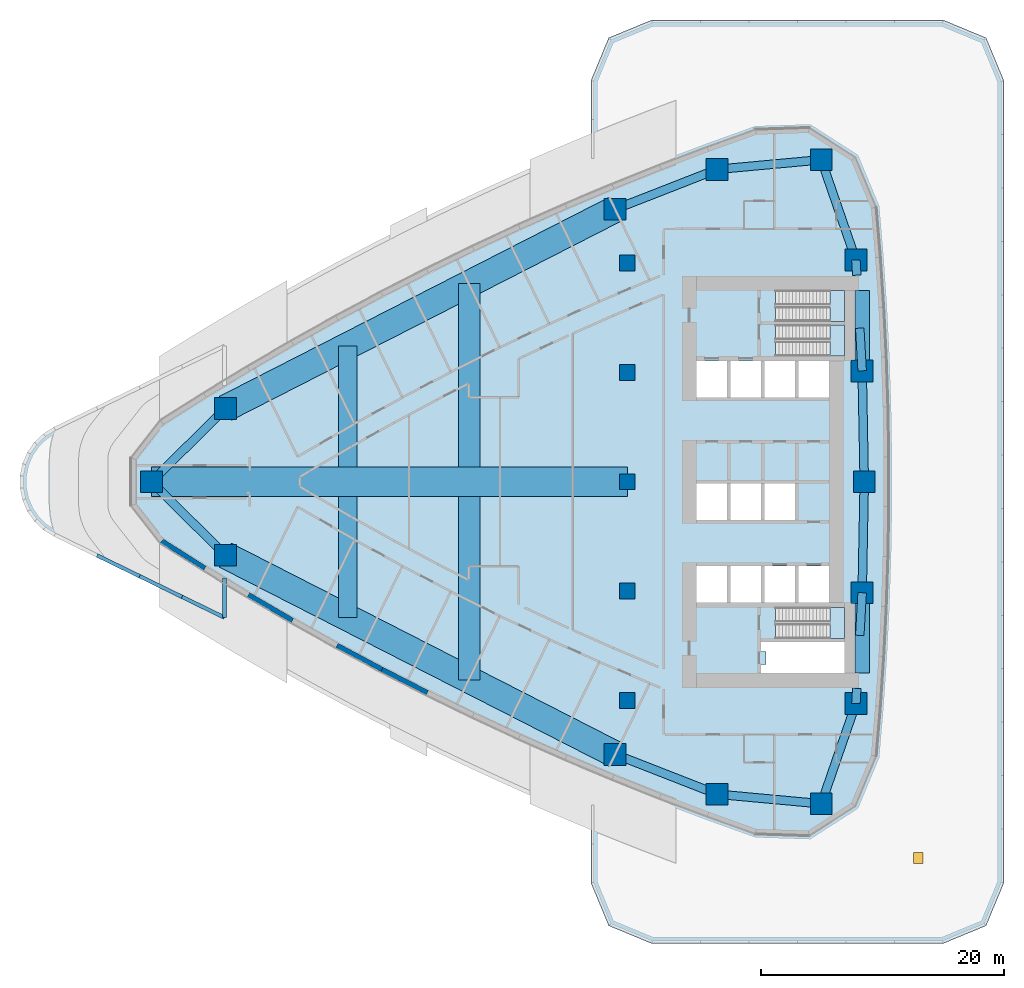
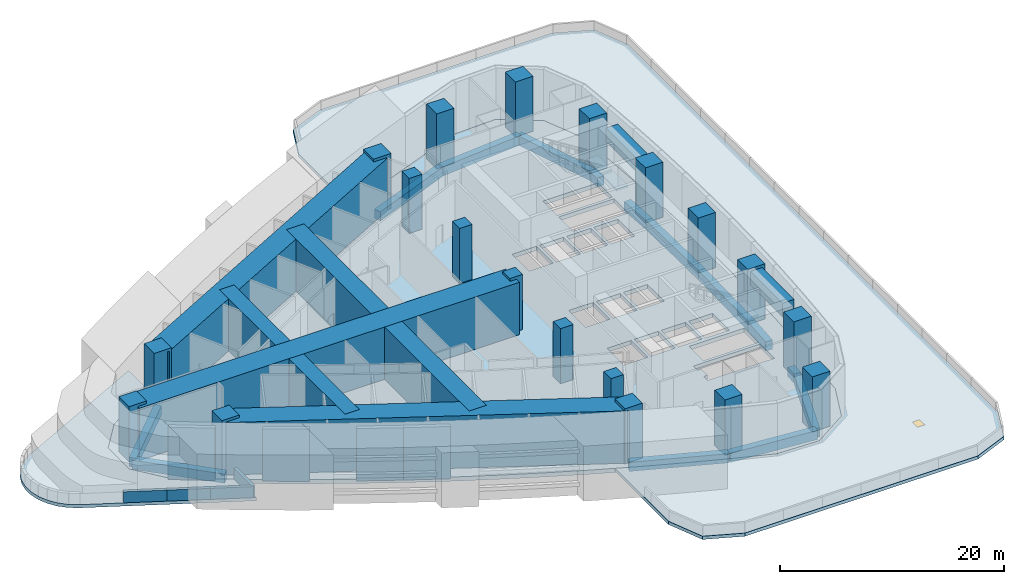
# One storey, part 1 of 14: 23 beams, 19 columns, 8 walls, 6 slabs, 1 window, 2 openings, 3 elements without a shape of their own.
"""IFC4 building model written with IfcOpenShell, lengths in metres."""

from ifc_helpers import new_model, si_unit, direction, frame, frame_2d, origin, origin_2d, place, context, subcontext, project, spatial, polyline, rectangle, outline, extrude, material, layer, layer_set, material_profile, profile_set, type_object, element, fill, aggregate, save


model = new_model("IFC4")

# Units and contexts
model_context = context("Model", 3, precision=1e-05, world=origin(), true_north=direction((0.0, 1.0)))
body_context = subcontext(model_context, "Body", "Model", "MODEL_VIEW")
ifc_project = project(units=[si_unit("LENGTHUNIT", "METRE"), si_unit("AREAUNIT", "SQUARE_METRE"), si_unit("VOLUMEUNIT", "CUBIC_METRE"), si_unit("PLANEANGLEUNIT", "RADIAN"), si_unit("MASSUNIT", "GRAM", prefix="KILO")], contexts=[model_context])

# Site, building, storey
site_placement = place(None, origin())
site = spatial("IfcSite", under=ifc_project, at=site_placement, CompositionType="ELEMENT")
building_placement = place(site_placement, origin())
building = spatial("IfcBuilding", under=site, at=building_placement, Name="Ostrand Prow Hotel Tower", CompositionType="ELEMENT")
storey_placement = place(building_placement, frame((0.0, 0.0, 29.0)))
storey = spatial("IfcBuildingStorey", under=building, at=storey_placement, Name="L05", CompositionType="ELEMENT", Elevation=29.0)

# Columns
ifc_material_1 = material(Name="Concrete C80/95", Category="concrete")
ifc_material_profile_1 = material_profile(ifc_material_1, rectangle(XDim=1.300048828125, YDim=1.300048828125, at=origin_2d()), Name="RC 1300x1300")
ifc_profile_set_1 = profile_set([ifc_material_profile_1], Name="Concrete C80/95")
column_type_1 = type_object("IfcColumnType", Name="Interior column 1300x1300 C80/95", PredefinedType="COLUMN", material=ifc_profile_set_1)
for number, where, z_axis, x_axis, name in (
    (1, (45.0, -18.0, 0.0), (0.0, 0.0, 1.0), (1.0, 0.0, 0.0), "Interior column 45S18"),
    (2, (45.0, -9.0, 0.0), (0.0, 0.0, 1.0), (1.0, 0.0, 0.0), "Interior column 45S9"),
    (3, (45.0, 0.0, 0.0), (0.0, 0.0, 1.0), (1.0, 0.0, 0.0), "Interior column 45C0"),
    (4, (45.0, 9.0, 0.0), (0.0, 0.0, 1.0), (1.0, 0.0, 0.0), "Interior column 45N9"),
    (5, (45.0, 18.0, 0.0), (0.0, 0.0, 1.0), (1.0, 0.0, 0.0), "Interior column 45N18"),
):
    element("IfcColumn", number, at=place(storey_placement, frame(where, z_axis=z_axis, x_axis=x_axis)), inside=storey, type_object=column_type_1, Name=name, PredefinedType="COLUMN", context=body_context, shape_type="SweptSolid", body=[
        extrude(rectangle(XDim=1.300048828125, YDim=1.300048828125, at=origin_2d()), origin(), (0.0, 0.0, 1.0), 6.0),
    ])
ifc_material_2 = material(Name="Concrete C80/95", Category="concrete")
ifc_material_profile_2 = material_profile(ifc_material_2, rectangle(XDim=1.800048828125, YDim=1.800048828125, at=origin_2d()), Name="RC 1800x1800")
ifc_profile_set_2 = profile_set([ifc_material_profile_2], Name="Concrete C80/95")
column_type_2 = type_object("IfcColumnType", Name="Stone-faced mega column 1800x1800 C80/95", PredefinedType="COLUMN", material=ifc_profile_set_2)
for number, where, z_axis, x_axis, name in (
    (6, (5.848388671875, 0.0, 0.0), (0.0, 0.0, 1.0), (1.0, 0.0, 0.0), "Mega column P"),
    (7, (11.926513671875, -6.0419921875, 0.0), (0.0, 0.0, 1.0), (1.0, 0.0, 0.0), "Mega column S1"),
    (8, (43.997802734375, -22.427978515625, 0.0), (0.0, 0.0, 1.0), (1.0, 0.0, 0.0), "Mega column S5"),
    (9, (52.3916015625, -25.710205078125, 0.0), (0.0, 0.0, 1.0), (1.0, 0.0, 0.0), "Mega column S6"),
    (10, (60.966064453125, -26.49853515625, 0.0), (0.0, 0.0, 1.0), (1.0, 0.0, 0.0), "Mega column SE"),
    (11, (63.8134765625, -18.248779296875, 0.0), (0.0, 0.0, 1.0), (1.0, 0.0, 0.0), "Mega column B1"),
    (12, (64.328369140625, -9.130859375, 0.0), (0.0, 0.0, 1.0), (1.0, 0.0, 0.0), "Mega column B2"),
    (13, (64.5, 0.0, 0.0), (0.0, 0.0, 1.0), (1.0, 0.0, 0.0), "Mega column B3"),
    (14, (64.328369140625, 9.130859375, 0.0), (0.0, 0.0, 1.0), (1.0, 0.0, 0.0), "Mega column B4"),
    (15, (63.8134765625, 18.248779296875, 0.0), (0.0, 0.0, 1.0), (1.0, 0.0, 0.0), "Mega column B5"),
    (16, (60.966064453125, 26.49853515625, 0.0), (0.0, 0.0, 1.0), (1.0, 0.0, 0.0), "Mega column NE"),
    (17, (52.3916015625, 25.710205078125, 0.0), (0.0, 0.0, 1.0), (1.0, 0.0, 0.0), "Mega column N1"),
    (18, (43.997802734375, 22.427978515625, 0.0), (0.0, 0.0, 1.0), (1.0, 0.0, 0.0), "Mega column N2"),
    (19, (11.926513671875, 6.0419921875, 0.0), (0.0, 0.0, 1.0), (1.0, 0.0, 0.0), "Mega column N6"),
):
    element("IfcColumn", number, at=place(storey_placement, frame(where, z_axis=z_axis, x_axis=x_axis)), inside=storey, type_object=column_type_2, Name=name, PredefinedType="COLUMN", context=body_context, shape_type="SweptSolid", body=[
        extrude(rectangle(XDim=1.800048828125, YDim=1.800048828125, at=origin_2d()), origin(), (0.0, 0.0, 1.0), 6.0),
    ])

# Beams
ifc_material_3 = material(Name="Concrete C80/95", Category="concrete")
ifc_material_profile_3 = material_profile(ifc_material_3, rectangle(XDim=1.199951171875, YDim=1.5, at=origin_2d()), Name="RC 1200x1500")
ifc_profile_set_3 = profile_set([ifc_material_profile_3], Name="Concrete C80/95")
beam_type_1 = type_object("IfcBeamType", Name="Core transfer beam 1200x1500 C80/95", PredefinedType="BEAM", material=ifc_profile_set_3)
for number, where, z_axis, x_axis, name in (
    (20, (64.320068359375, 9.949951171875, 4.949951171875), (0.0, 1.0, 0.0), (-1.0, 0.0, 0.0), "Core transfer beam CW-E-N"),
    (21, (64.320068359375, -15.75, 4.949951171875), (0.0, 1.0, 0.0), (-1.0, 0.0, 0.0), "Core transfer beam CW-E-S"),
):
    element("IfcBeam", number, at=place(storey_placement, frame(where, z_axis=z_axis, x_axis=x_axis)), inside=storey, type_object=beam_type_1, Name=name, PredefinedType="BEAM", context=body_context, shape_type="SweptSolid", body=[
        extrude(rectangle(XDim=1.199951171875, YDim=1.5, at=origin_2d()), origin(), (0.0, 0.0, 1.0), 5.800048828125),
    ])
ifc_material_4 = material(Name="Concrete C80/95", Category="concrete")
ifc_material_profile_4 = material_profile(ifc_material_4, rectangle(XDim=0.699951171875, YDim=1.0, at=origin_2d()), Name="RC 700x1000")
ifc_profile_set_4 = profile_set([ifc_material_profile_4], Name="Concrete C80/95")
beam_type_2 = type_object("IfcBeamType", Name="Edge beam 700x1000 C80/95", PredefinedType="SPANDREL", material=ifc_profile_set_4)
beam_1_placement = place(storey_placement, frame((5.848388671875, 0.0, -0.949951171875), z_axis=(0.709211674915, -0.70499560294, 0.0), x_axis=(0.70499560294, 0.709211674915, 0.0)))
element("IfcBeam", 22, at=beam_1_placement, inside=storey, type_object=beam_type_2, Name="Edge beam P-S1", PredefinedType="SPANDREL", context=body_context, shape_type="SweptSolid", body=[
    extrude(rectangle(XDim=0.699951171875, YDim=1.0, at=origin_2d()), origin(), (0.0, 0.0, 1.0), 8.5703125),
])
beam_2_placement = place(storey_placement, frame((43.997802734375, -22.427978515625, -0.949951171875), z_axis=(0.931329480916, -0.364177701098, 0.0), x_axis=(0.364177701098, 0.931329480916, 0.0)))
element("IfcBeam", 23, at=beam_2_placement, inside=storey, type_object=beam_type_2, Name="Edge beam S5-S6", PredefinedType="SPANDREL", context=body_context, shape_type="SweptSolid", body=[
    extrude(rectangle(XDim=0.699951171875, YDim=1.0, at=origin_2d()), origin(), (0.0, 0.0, 1.0), 9.0126953125),
])
beam_3_placement = place(storey_placement, frame((52.3916015625, -25.710205078125, -0.949951171875), z_axis=(0.995800189514, -0.091553167961, 0.0), x_axis=(0.091553167961, 0.995800189514, 0.0)))
element("IfcBeam", 24, at=beam_3_placement, inside=storey, type_object=beam_type_2, Name="Edge beam S6-SE", PredefinedType="SPANDREL", context=body_context, shape_type="SweptSolid", body=[
    extrude(rectangle(XDim=0.699951171875, YDim=1.0, at=origin_2d()), origin(), (0.0, 0.0, 1.0), 8.610595703125),
])
beam_4_placement = place(storey_placement, frame((60.966064453125, -26.49853515625, -0.949951171875), z_axis=(0.326263961413, 0.945278703602, 0.0), x_axis=(-0.945278703602, 0.326263961413, 0.0)))
element("IfcBeam", 25, at=beam_4_placement, inside=storey, type_object=beam_type_2, Name="Edge beam SE-B1", PredefinedType="SPANDREL", context=body_context, shape_type="SweptSolid", body=[
    extrude(rectangle(XDim=0.699951171875, YDim=1.0, at=origin_2d()), origin(), (0.0, 0.0, 1.0), 8.727294921875),
])
beam_5_placement = place(storey_placement, frame((63.8134765625, -18.248779296875, -0.949951171875), z_axis=(0.056215946509, 0.998418633319, 0.0), x_axis=(-0.998418633319, 0.056215946509, 0.0)))
element("IfcBeam", 26, at=beam_5_placement, inside=storey, type_object=beam_type_2, Name="Edge beam B1-B2", PredefinedType="SPANDREL", context=body_context, shape_type="SweptSolid", body=[
    extrude(rectangle(XDim=0.699951171875, YDim=1.0, at=origin_2d()), origin(), (0.0, 0.0, 1.0), 1.250732421875),
])
beam_6_placement = place(storey_placement, frame((64.1298828125, -12.642578125, -0.949951171875), z_axis=(0.056431068034, 0.998406497655, 0.0), x_axis=(-0.998406497655, 0.056431068034, 0.0)))
element("IfcBeam", 27, at=beam_6_placement, inside=storey, type_object=beam_type_2, Name="Edge beam B1-B2", PredefinedType="SPANDREL", context=body_context, shape_type="SweptSolid", body=[
    extrude(rectangle(XDim=0.699951171875, YDim=1.0, at=origin_2d()), origin(), (0.0, 0.0, 1.0), 3.517333984375),
])
for number, where, z_axis, x_axis, name in (
    (28, (64.328369140625, -9.130859375, -0.949951171875), (0.018793471688, 0.999823387115, 0.0), (-0.999823387115, 0.018793471688, 0.0), "Edge beam B2-B3"),
    (29, (64.5, 0.0, -0.949951171875), (-0.018793471688, 0.999823387115, 0.0), (-0.999823387115, -0.018793471688, 0.0), "Edge beam B3-B4"),
):
    element("IfcBeam", number, at=place(storey_placement, frame(where, z_axis=z_axis, x_axis=x_axis)), inside=storey, type_object=beam_type_2, Name=name, PredefinedType="SPANDREL", context=body_context, shape_type="SweptSolid", body=[
        extrude(rectangle(XDim=0.699951171875, YDim=1.0, at=origin_2d()), origin(), (0.0, 0.0, 1.0), 9.132568359375),
    ])
beam_7_placement = place(storey_placement, frame((64.328369140625, 9.130859375, -0.949951171875), z_axis=(-0.056431068034, 0.998406497655, 0.0), x_axis=(-0.998406497655, -0.056431068034, 0.0)))
element("IfcBeam", 30, at=beam_7_placement, inside=storey, type_object=beam_type_2, Name="Edge beam B4-B5", PredefinedType="SPANDREL", context=body_context, shape_type="SweptSolid", body=[
    extrude(rectangle(XDim=0.699951171875, YDim=1.0, at=origin_2d()), origin(), (0.0, 0.0, 1.0), 3.517333984375),
])
beam_8_placement = place(storey_placement, frame((63.8837890625, 17.0, -0.949951171875), z_axis=(-0.056215946509, 0.998418633319, 0.0), x_axis=(-0.998418633319, -0.056215946509, 0.0)))
element("IfcBeam", 31, at=beam_8_placement, inside=storey, type_object=beam_type_2, Name="Edge beam B4-B5", PredefinedType="SPANDREL", context=body_context, shape_type="SweptSolid", body=[
    extrude(rectangle(XDim=0.699951171875, YDim=1.0, at=origin_2d()), origin(), (0.0, 0.0, 1.0), 1.250732421875),
])
beam_9_placement = place(storey_placement, frame((63.8134765625, 18.248779296875, -0.949951171875), z_axis=(-0.326263961413, 0.945278703602, 0.0), x_axis=(-0.945278703602, -0.326263961413, 0.0)))
element("IfcBeam", 32, at=beam_9_placement, inside=storey, type_object=beam_type_2, Name="Edge beam B5-NE", PredefinedType="SPANDREL", context=body_context, shape_type="SweptSolid", body=[
    extrude(rectangle(XDim=0.699951171875, YDim=1.0, at=origin_2d()), origin(), (0.0, 0.0, 1.0), 8.727294921875),
])
beam_10_placement = place(storey_placement, frame((60.966064453125, 26.49853515625, -0.949951171875), z_axis=(-0.995800189514, -0.091553167961, 0.0), x_axis=(0.091553167961, -0.995800189514, 0.0)))
element("IfcBeam", 33, at=beam_10_placement, inside=storey, type_object=beam_type_2, Name="Edge beam NE-N1", PredefinedType="SPANDREL", context=body_context, shape_type="SweptSolid", body=[
    extrude(rectangle(XDim=0.699951171875, YDim=1.0, at=origin_2d()), origin(), (0.0, 0.0, 1.0), 8.610595703125),
])
beam_11_placement = place(storey_placement, frame((52.3916015625, 25.710205078125, -0.949951171875), z_axis=(-0.931329480916, -0.364177701098, 0.0), x_axis=(0.364177701098, -0.931329480916, 0.0)))
element("IfcBeam", 34, at=beam_11_placement, inside=storey, type_object=beam_type_2, Name="Edge beam N1-N2", PredefinedType="SPANDREL", context=body_context, shape_type="SweptSolid", body=[
    extrude(rectangle(XDim=0.699951171875, YDim=1.0, at=origin_2d()), origin(), (0.0, 0.0, 1.0), 9.0126953125),
])
beam_12_placement = place(storey_placement, frame((11.926513671875, 6.0419921875, -0.949951171875), z_axis=(-0.709211674915, -0.70499560294, 0.0), x_axis=(0.70499560294, -0.709211674915, 0.0)))
element("IfcBeam", 35, at=beam_12_placement, inside=storey, type_object=beam_type_2, Name="Edge beam N6-P", PredefinedType="SPANDREL", context=body_context, shape_type="SweptSolid", body=[
    extrude(rectangle(XDim=0.699951171875, YDim=1.0, at=origin_2d()), origin(), (0.0, 0.0, 1.0), 8.5703125),
])
ifc_material_5 = material(Name="Concrete C80/95", Category="concrete")
ifc_material_profile_5 = material_profile(ifc_material_5, rectangle(XDim=1.5, YDim=5.699951171875, at=origin_2d()), Name="RC 1500x5700")
ifc_profile_set_5 = profile_set([ifc_material_profile_5], Name="Concrete C80/95")
beam_type_3 = type_object("IfcBeamType", Name="Transfer girder 1500x5700 C80/95", PredefinedType="BEAM", material=ifc_profile_set_5)
for number, where, z_axis, x_axis, name in (
    (36, (22.0, 11.18896484375, 2.85009765625), (0.0, -1.0, 0.0), (1.0, 0.0, 0.0), "Transfer girder cross N"),
    (37, (22.0, -11.18896484375, 2.85009765625), (0.0, 1.0, 0.0), (-1.0, 0.0, 0.0), "Transfer girder cross S"),
):
    element("IfcBeam", number, at=place(storey_placement, frame(where, z_axis=z_axis, x_axis=x_axis)), inside=storey, type_object=beam_type_3, Name=name, PredefinedType="BEAM", context=body_context, shape_type="SweptSolid", body=[
        extrude(rectangle(XDim=1.5, YDim=5.699951171875, at=origin_2d()), origin(), (0.0, 0.0, 1.0), 9.989013671875),
    ])
ifc_material_6 = material(Name="Concrete C80/95", Category="concrete")
ifc_material_profile_6 = material_profile(ifc_material_6, rectangle(XDim=1.800048828125, YDim=5.699951171875, at=origin_2d()), Name="RC 1800x5700")
ifc_profile_set_6 = profile_set([ifc_material_profile_6], Name="Concrete C80/95")
beam_type_4 = type_object("IfcBeamType", Name="Transfer girder 1800x5700 C80/95", PredefinedType="BEAM", material=ifc_profile_set_6)
for number, where, z_axis, x_axis, name in (
    (38, (32.0, 16.298095703125, 2.85009765625), (0.0, -1.0, 0.0), (1.0, 0.0, 0.0), "Transfer girder cross N"),
    (39, (32.0, -16.298095703125, 2.85009765625), (0.0, 1.0, 0.0), (-1.0, 0.0, 0.0), "Transfer girder cross S"),
):
    element("IfcBeam", number, at=place(storey_placement, frame(where, z_axis=z_axis, x_axis=x_axis)), inside=storey, type_object=beam_type_4, Name=name, PredefinedType="BEAM", context=body_context, shape_type="SweptSolid", body=[
        extrude(rectangle(XDim=1.800048828125, YDim=5.699951171875, at=origin_2d()), origin(), (0.0, 0.0, 1.0), 15.09814453125),
    ])
ifc_material_7 = material(Name="Concrete C80/95", Category="concrete")
ifc_material_profile_7 = material_profile(ifc_material_7, rectangle(XDim=2.199951171875, YDim=5.699951171875, at=origin_2d()), Name="RC 2200x5700")
ifc_profile_set_7 = profile_set([ifc_material_profile_7], Name="Concrete C80/95")
beam_type_5 = type_object("IfcBeamType", Name="Transfer girder 2200x5700 C80/95", PredefinedType="BEAM", material=ifc_profile_set_7)
for number, where, z_axis, x_axis, name in (
    (40, (11.926513671875, -6.0419921875, 2.85009765625), (0.890502251607, -0.454978834544, 0.0), (0.454978834544, 0.890502251607, 0.0), "Transfer girder face S"),
    (41, (11.926513671875, 6.0419921875, 2.85009765625), (0.890502251607, 0.454978834544, 0.0), (-0.454978834544, 0.890502251607, 0.0), "Transfer girder face N"),
):
    element("IfcBeam", number, at=place(storey_placement, frame(where, z_axis=z_axis, x_axis=x_axis)), inside=storey, type_object=beam_type_5, Name=name, PredefinedType="BEAM", context=body_context, shape_type="SweptSolid", body=[
        extrude(rectangle(XDim=2.199951171875, YDim=5.699951171875, at=origin_2d()), origin(), (0.0, 0.0, 1.0), 36.014892578125),
    ])
ifc_material_8 = material(Name="Concrete C80/95", Category="concrete")
ifc_material_profile_8 = material_profile(ifc_material_8, rectangle(XDim=2.39990234375, YDim=5.699951171875, at=origin_2d()), Name="RC 2400x5700")
ifc_profile_set_8 = profile_set([ifc_material_profile_8], Name="Concrete C80/95")
beam_type_6 = type_object("IfcBeamType", Name="Transfer girder 2400x5700 C80/95", PredefinedType="BEAM", material=ifc_profile_set_8)
beam_13_placement = place(storey_placement, frame((5.848388671875, 0.0, 2.85009765625), z_axis=(1.0, 0.0, 0.0), x_axis=(0.0, 1.0, 0.0)))
element("IfcBeam", 42, at=beam_13_placement, inside=storey, type_object=beam_type_6, Name="Transfer girder spine", PredefinedType="BEAM", context=body_context, shape_type="SweptSolid", body=[
    extrude(rectangle(XDim=2.39990234375, YDim=5.699951171875, at=origin_2d()), origin(), (0.0, 0.0, 1.0), 39.151611328125),
])

# Slab, opening
ifc_material_9 = material(Name="Concrete C40/50", Category="concrete")
ifc_layer_1 = layer(ifc_material_9, 0.449951171875)
ifc_layer_set_1 = layer_set([ifc_layer_1], Name="Concrete C40/50")
slab_type_1 = type_object("IfcSlabType", Name="PT flat plate 450 C40/50", PredefinedType="FLOOR", material=ifc_layer_set_1)
slab_1_placement = place(storey_placement, frame((0.0, 0.0, -0.449951171875)))
slab_1 = element("IfcSlab", 43, at=slab_1_placement, inside=storey, type_object=slab_type_1, Name="Floor slab L05-1", PredefinedType="FLOOR", context=body_context, shape_type="SweptSolid", body=[
    extrude(outline(polyline([(6.690673828125, 4.805908203125), (10.26806640625, 7.073974609375), (13.851806640625, 9.2548828125), (17.47509765625, 11.369384765625), (21.136962890625, 13.416748046875), (24.83544921875, 15.396484375), (28.570068359375, 17.3076171875), (32.339111328125, 19.14990234375), (36.141357421875, 20.922607421875), (39.9755859375, 22.625), (43.840576171875, 24.25634765625), (47.73486328125, 25.81640625), (51.6572265625, 27.3046875), (55.64111328125, 28.73291015625), (59.92333984375, 28.873046875), (63.55908203125, 26.53369140625), (65.2060546875, 22.578369140625), (65.552978515625, 18.45166015625), (65.828369140625, 14.356689453125), (66.034912109375, 10.2578125), (66.172607421875, 6.15576171875), (66.241455078125, 2.052001953125), (66.241455078125, -2.052001953125), (66.172607421875, -6.15576171875), (66.034912109375, -10.2578125), (65.828369140625, -14.356689453125), (65.552978515625, -18.45166015625), (65.2060546875, -22.578369140625), (63.55908203125, -26.53369140625), (59.92333984375, -28.873046875), (55.64111328125, -28.73291015625), (51.6572265625, -27.3046875), (47.73486328125, -25.81640625), (43.840576171875, -24.25634765625), (39.9755859375, -22.625), (36.141357421875, -20.922607421875), (32.339111328125, -19.14990234375), (28.570068359375, -17.3076171875), (24.83544921875, -15.396484375), (21.136962890625, -13.416748046875), (17.47509765625, -11.369384765625), (13.851806640625, -9.2548828125), (10.26806640625, -7.073974609375), (6.690673828125, -4.805908203125), (4.399169921875, -1.8798828125), (4.399169921875, 1.8798828125), (6.690673828125, 4.805908203125)]), holes=[polyline([(50.699951171875, 6.949951171875), (53.199951171875, 6.949951171875), (53.199951171875, 9.949951171875), (50.699951171875, 9.949951171875), (50.699951171875, 6.949951171875)]), polyline([(53.5, 6.949951171875), (56.0, 6.949951171875), (56.0, 9.949951171875), (53.5, 9.949951171875), (53.5, 6.949951171875)]), polyline([(56.300048828125, 6.949951171875), (58.800048828125, 6.949951171875), (58.800048828125, 9.949951171875), (56.300048828125, 9.949951171875), (56.300048828125, 6.949951171875)]), polyline([(59.10009765625, 6.949951171875), (61.60009765625, 6.949951171875), (61.60009765625, 9.949951171875), (59.10009765625, 9.949951171875), (59.10009765625, 6.949951171875)]), polyline([(50.699951171875, -3.14990234375), (53.199951171875, -3.14990234375), (53.199951171875, -0.14990234375), (50.699951171875, -0.14990234375), (50.699951171875, -3.14990234375)]), polyline([(53.5, -3.14990234375), (56.0, -3.14990234375), (56.0, -0.14990234375), (53.5, -0.14990234375), (53.5, -3.14990234375)]), polyline([(56.300048828125, -3.14990234375), (58.800048828125, -3.14990234375), (58.800048828125, -0.14990234375), (56.300048828125, -0.14990234375), (56.300048828125, -3.14990234375)]), polyline([(50.699951171875, -9.949951171875), (53.199951171875, -9.949951171875), (53.199951171875, -6.949951171875), (50.699951171875, -6.949951171875), (50.699951171875, -9.949951171875)]), polyline([(53.5, -9.949951171875), (56.0, -9.949951171875), (56.0, -6.949951171875), (53.5, -6.949951171875), (53.5, -9.949951171875)]), polyline([(56.300048828125, -9.949951171875), (58.800048828125, -9.949951171875), (58.800048828125, -6.949951171875), (56.300048828125, -6.949951171875), (56.300048828125, -9.949951171875)]), polyline([(59.10009765625, -9.949951171875), (61.60009765625, -9.949951171875), (61.60009765625, -6.949951171875), (59.10009765625, -6.949951171875), (59.10009765625, -9.949951171875)]), polyline([(57.200927734375, 10.35107421875), (57.200927734375, 12.89892578125), (62.87890625, 12.89892578125), (62.87890625, 10.35107421875), (57.200927734375, 10.35107421875)]), polyline([(57.200927734375, 13.200927734375), (57.200927734375, 15.7490234375), (62.87890625, 15.7490234375), (62.87890625, 13.200927734375), (57.200927734375, 13.200927734375)]), polyline([(57.200927734375, -12.89892578125), (57.200927734375, -10.35107421875), (62.87890625, -10.35107421875), (62.87890625, -12.89892578125), (57.200927734375, -12.89892578125)]), polyline([(56.0, -13.199951171875), (62.8798828125, -13.199951171875), (62.8798828125, -15.75), (56.0, -15.75), (56.0, -15.050048828125), (56.39990234375, -15.050048828125), (56.39990234375, -13.949951171875), (56.0, -13.949951171875), (56.0, -13.199951171875)])]), origin(), (0.0, 0.0, 1.0), 0.449951171875),
])
opening_1_placement = place(slab_1_placement, origin())
element("IfcOpeningElement", 44, at=opening_1_placement, cuts=slab_1, Name="Shaft opening 1", PredefinedType="OPENING", context=body_context, shape_type="SweptSolid", body=[
    extrude(outline(polyline([(56.0, -13.199951171875), (62.8798828125, -13.199951171875), (62.8798828125, -15.75), (56.0, -15.75), (56.0, -15.050048828125), (56.39990234375, -15.050048828125), (56.39990234375, -13.949951171875), (56.0, -13.949951171875), (56.0, -13.199951171875)])), origin(), (0.0, 0.0, 1.0), 0.449951171875),
])

# Slab
ifc_material_10 = material(Name="Concrete C40/50", Category="concrete")
ifc_layer_2 = layer(ifc_material_10, 0.35009765625)
ifc_layer_set_2 = layer_set([ifc_layer_2], Name="Concrete C40/50")
slab_type_2 = type_object("IfcSlabType", Name="Roof slab 350 C40/50", PredefinedType="ROOF", material=ifc_layer_set_2)
slab_2_placement = place(storey_placement, frame((0.0, 0.0, -0.35009765625)))
element("IfcSlab", 45, at=slab_2_placement, inside=storey, type_object=slab_type_2, Name="Podium roof slab 1", PredefinedType="ROOF", context=body_context, shape_type="SweptSolid", body=[
    extrude(outline(polyline([(12.0, -11.41259765625), (-2.19091796875, -4.494384765625), (-3.052490234375, -3.9599609375), (-3.788818359375, -3.2626953125), (-4.368896484375, -2.431396484375), (-4.769775390625, -1.5), (-4.97412109375, -0.5068359375), (-4.97412109375, 0.5068359375), (-4.769775390625, 1.5), (-4.368896484375, 2.431396484375), (-3.788818359375, 3.2626953125), (-3.052490234375, 3.9599609375), (-2.19091796875, 4.494384765625), (12.0, 11.41259765625), (12.0, 8.129150390625), (10.267578125, 7.074951171875), (6.68994140625, 4.806640625), (4.398193359375, 1.880126953125), (4.398193359375, -1.880126953125), (6.68994140625, -4.806640625), (10.267578125, -7.074951171875), (12.0, -8.129150390625), (12.0, -11.41259765625)])), origin(), (0.0, 0.0, 1.0), 0.35009765625),
])

# Slab, opening, window
slab_3_placement = place(storey_placement, frame((0.0, 0.0, -0.35009765625)))
slab_3 = element("IfcSlab", 46, at=slab_3_placement, inside=storey, type_object=slab_type_2, Name="Podium roof slab 2", PredefinedType="ROOF", context=body_context, shape_type="SweptSolid", body=[
    extrude(outline(polyline([(47.0, 38.0), (71.0, 38.0), (74.535400390625, 36.535400390625), (76.0, 33.0), (76.0, -33.0), (74.535400390625, -36.535400390625), (71.0, -38.0), (47.0, -38.0), (43.464599609375, -36.535400390625), (42.0, -33.0), (42.0, -23.48046875), (43.840087890625, -24.25732421875), (47.734619140625, -25.8173828125), (51.656982421875, -27.305419921875), (55.640869140625, -28.73388671875), (59.923583984375, -28.8740234375), (63.56005859375, -26.534423828125), (65.20703125, -22.57861328125), (65.55419921875, -18.45166015625), (65.829345703125, -14.356689453125), (66.035888671875, -10.2578125), (66.173583984375, -6.15576171875), (66.242431640625, -2.052001953125), (66.242431640625, 2.052001953125), (66.173583984375, 6.15576171875), (66.035888671875, 10.2578125), (65.829345703125, 14.356689453125), (65.55419921875, 18.45166015625), (65.20703125, 22.57861328125), (63.56005859375, 26.534423828125), (59.923583984375, 28.8740234375), (55.640869140625, 28.73388671875), (51.656982421875, 27.305419921875), (47.734619140625, 25.8173828125), (43.840087890625, 24.25732421875), (42.0, 23.48046875), (42.0, 33.0), (43.464599609375, 36.535400390625), (47.0, 38.0)])), origin(), (0.0, 0.0, 1.0), 0.35009765625),
])
opening_2_placement = place(slab_3_placement, frame((68.94482421875, -30.97509765625, 0.0)))
opening_2 = element("IfcOpeningElement", 47, at=opening_2_placement, cuts=slab_3, Name="Opening RH1", PredefinedType="OPENING", context=body_context, shape_type="SweptSolid", body=[
    extrude(rectangle(XDim=0.75, YDim=0.89990234375, at=origin_2d()), origin(), (0.0, 0.0, 1.0), 0.35009765625),
])
ifc_material_11 = material(Name="Galvanised steel", Category="steel")
window_type = type_object("IfcWindowType", Name="Roof access hatch 750x900", PartitioningType="SINGLE_PANEL", PredefinedType="SKYLIGHT", material=ifc_material_11)
window_placement = place(opening_2_placement, frame((0.0, 0.0, 0.300048828125)))
window = element("IfcWindow", 48, at=window_placement, inside=storey, type_object=window_type, Name="Roof access hatch L05-PRH0", OverallHeight=0.89990234375, OverallWidth=0.75, PartitioningType="SINGLE_PANEL", PredefinedType="SKYLIGHT", context=body_context, shape_type="SweptSolid", body=[
    extrude(rectangle(XDim=0.75, YDim=0.89990234375, at=origin_2d()), origin(), (0.0, 0.0, 1.0), 0.050048828125),
])
fill(opening_2, window)

# Stair, slab
ifc_material_12 = material(Name="Concrete C40/50", Category="concrete")
stair_type = type_object("IfcStairType", Name="Exit stair 1200 middle zone", PredefinedType="HALF_TURN_STAIR", material=ifc_material_12)
stair_1_placement = place(storey_placement, origin())
stair_1 = element("IfcStair", 49, at=stair_1_placement, inside=storey, type_object=stair_type, Name="L05 ST1B", PredefinedType="HALF_TURN_STAIR")
ifc_material_13 = material(Name="Concrete C40/50", Category="concrete")
ifc_layer_3 = layer(ifc_material_13, 0.199951171875)
ifc_layer_set_3 = layer_set([ifc_layer_3], Name="Concrete C40/50")
slab_type_3 = type_object("IfcSlabType", Name="Stair landing 200 concrete", PredefinedType="LANDING", material=ifc_layer_set_3)
slab_4_placement = place(storey_placement, frame((0.0, 0.0, 2.800048828125)))
slab_4 = element("IfcSlab", 50, at=slab_4_placement, type_object=slab_type_3, Name="ST1B landing 1", PredefinedType="LANDING", context=body_context, shape_type="SweptSolid", body=[
    extrude(outline(polyline([(61.679931640625, 10.35009765625), (62.8798828125, 10.35009765625), (62.8798828125, 12.89990234375), (61.679931640625, 12.89990234375), (61.679931640625, 10.35009765625)])), origin(), (0.0, 0.0, 1.0), 0.199951171875),
])
aggregate(stair_1, [slab_4])

stair_2_placement = place(storey_placement, origin())
stair_2 = element("IfcStair", 51, at=stair_2_placement, inside=storey, type_object=stair_type, Name="L05 ST3B", PredefinedType="HALF_TURN_STAIR")
slab_5_placement = place(storey_placement, frame((0.0, 0.0, 2.800048828125)))
slab_5 = element("IfcSlab", 52, at=slab_5_placement, type_object=slab_type_3, Name="ST3B landing 1", PredefinedType="LANDING", context=body_context, shape_type="SweptSolid", body=[
    extrude(outline(polyline([(61.679931640625, 13.199951171875), (62.8798828125, 13.199951171875), (62.8798828125, 15.75), (61.679931640625, 15.75), (61.679931640625, 13.199951171875)])), origin(), (0.0, 0.0, 1.0), 0.199951171875),
])
aggregate(stair_2, [slab_5])

stair_3_placement = place(storey_placement, origin())
stair_3 = element("IfcStair", 53, at=stair_3_placement, inside=storey, type_object=stair_type, Name="L05 ST2B", PredefinedType="HALF_TURN_STAIR")
slab_6_placement = place(storey_placement, frame((0.0, 0.0, 2.800048828125)))
slab_6 = element("IfcSlab", 54, at=slab_6_placement, type_object=slab_type_3, Name="ST2B landing 1", PredefinedType="LANDING", context=body_context, shape_type="SweptSolid", body=[
    extrude(outline(polyline([(61.679931640625, -12.89990234375), (62.8798828125, -12.89990234375), (62.8798828125, -10.35009765625), (61.679931640625, -10.35009765625), (61.679931640625, -12.89990234375)])), origin(), (0.0, 0.0, 1.0), 0.199951171875),
])
aggregate(stair_3, [slab_6])

# Walls
ifc_material_14 = material(Name="Precast concrete C40/50", Category="concrete")
ifc_layer_4 = layer(ifc_material_14, 0.300048828125)
ifc_layer_set_4 = layer_set([ifc_layer_4], Name="Precast concrete C40/50")
wall_type_1 = type_object("IfcWallType", Name="Parapet 300 mm precast concrete", PredefinedType="PARAPET", material=ifc_layer_set_4)
wall_1_placement = place(storey_placement, frame((1.373779296875, -6.065185546875, 0.0), z_axis=(0.0, 0.0, 1.0), x_axis=(0.898869287624, -0.438216845599, 0.0)))
element("IfcWall", 55, at=wall_1_placement, inside=storey, type_object=wall_type_1, Name="Parapet 1.1.18", PredefinedType="PARAPET", context=body_context, shape_type="SweptSolid", body=[
    extrude(rectangle(XDim=3.884765625, YDim=0.300048828125, at=frame_2d((1.9423828125, 0.0))), origin(), (0.0, 0.0, 1.0), 1.199951171875),
])
wall_2_placement = place(storey_placement, frame((4.86572265625, -7.767578125, 0.0), z_axis=(0.0, 0.0, 1.0), x_axis=(0.898856602105, -0.438242865148, 0.0)))
element("IfcWall", 56, at=wall_2_placement, inside=storey, type_object=wall_type_1, Name="Parapet 1.1.19", PredefinedType="PARAPET", context=body_context, shape_type="SweptSolid", body=[
    extrude(rectangle(XDim=3.88525390625, YDim=0.300048828125, at=frame_2d((1.942626953125, 0.0))), origin(), (0.0, 0.0, 1.0), 1.199951171875),
])
wall_3_placement = place(storey_placement, frame((8.35791015625, -9.47021484375, 0.0), z_axis=(0.0, 0.0, 1.0), x_axis=(0.898881354941, -0.438192092282, 0.0)))
element("IfcWall", 57, at=wall_3_placement, inside=storey, type_object=wall_type_1, Name="Parapet 1.1.20", PredefinedType="PARAPET", context=body_context, shape_type="SweptSolid", body=[
    extrude(rectangle(XDim=3.885009765625, YDim=0.300048828125, at=frame_2d((1.9423828125, 0.0))), origin(), (0.0, 0.0, 1.0), 1.199951171875),
])
wall_4_placement = place(storey_placement, frame((11.85009765625, -11.172607421875, 0.0), z_axis=(0.0, 0.0, 1.0), x_axis=(0.0, 1.0, 0.0)))
element("IfcWall", 58, at=wall_4_placement, inside=storey, type_object=wall_type_1, Name="Parapet 1.1.21", PredefinedType="PARAPET", context=body_context, shape_type="SweptSolid", body=[
    extrude(rectangle(XDim=3.2529296875, YDim=0.300048828125, at=frame_2d((1.62646484375, 0.0))), origin(), (0.0, 0.0, 1.0), 1.199951171875),
])
ifc_material_15 = material(Name="Precast concrete C40/50", Category="concrete")
ifc_layer_5 = layer(ifc_material_15, 0.39990234375)
ifc_layer_set_5 = layer_set([ifc_layer_5], Name="Precast concrete C40/50")
wall_type_2 = type_object("IfcWallType", Name="Stone-faced precast wall 400 mm", PredefinedType="NOTDEFINED", material=ifc_layer_set_5)
wall_5_placement = place(storey_placement, frame((6.697998046875, -4.86962890625, 0.0), z_axis=(0.0, 0.0, 1.0), x_axis=(0.844551578623, -0.535474211372, 0.0)))
element("IfcWall", 59, at=wall_5_placement, inside=storey, type_object=wall_type_2, Name="Stone-faced wall prow 4", PredefinedType="NOTDEFINED", context=body_context, shape_type="SweptSolid", body=[
    extrude(outline(polyline([(-0.034423828125, -0.199951171875), (4.19775390625, -0.199951171875), (4.1943359375, 0.199951171875), (0.034423828125, 0.199951171875), (-0.034423828125, -0.199951171875)])), origin(), (0.0, 0.0, 1.0), 5.699951171875),
])
wall_6_placement = place(storey_placement, frame((13.826416015625, -9.2978515625, 0.0), z_axis=(0.0, 0.0, 1.0), x_axis=(0.863702918535, -0.504001258445, 0.0)))
element("IfcWall", 60, at=wall_6_placement, inside=storey, type_object=wall_type_2, Name="Stone-faced wall prow 6", PredefinedType="NOTDEFINED", context=body_context, shape_type="SweptSolid", body=[
    extrude(outline(polyline([(-0.001708984375, -0.199951171875), (4.197509765625, -0.199951171875), (4.194091796875, 0.199951171875), (0.001708984375, 0.199951171875), (-0.001708984375, -0.199951171875)])), origin(), (0.0, 0.0, 1.0), 5.699951171875),
])
wall_7_placement = place(storey_placement, frame((21.11279296875, -13.460693359375, 0.0), z_axis=(0.0, 0.0, 1.0), x_axis=(0.881678826745, -0.471850025399, 0.0)))
element("IfcWall", 61, at=wall_7_placement, inside=storey, type_object=wall_type_2, Name="Stone-faced wall prow 8", PredefinedType="NOTDEFINED", context=body_context, shape_type="SweptSolid", body=[
    extrude(outline(polyline([(-0.001708984375, -0.199951171875), (4.197998046875, -0.199951171875), (4.194580078125, 0.199951171875), (0.001708984375, 0.199951171875), (-0.001708984375, -0.199951171875)])), origin(), (0.0, 0.0, 1.0), 5.699951171875),
])
wall_8_placement = place(storey_placement, frame((24.8125, -15.440673828125, 0.0), z_axis=(0.0, 0.0, 1.0), x_axis=(0.890186701742, -0.455595913108, 0.0)))
element("IfcWall", 62, at=wall_8_placement, inside=storey, type_object=wall_type_2, Name="Stone-faced wall prow 9", PredefinedType="NOTDEFINED", context=body_context, shape_type="SweptSolid", body=[
    extrude(outline(polyline([(-0.001708984375, -0.199951171875), (4.197509765625, -0.199951171875), (4.194091796875, 0.199951171875), (0.001708984375, 0.199951171875), (-0.001708984375, -0.199951171875)])), origin(), (0.0, 0.0, 1.0), 5.699951171875),
])

save(model, "model.ifc")
